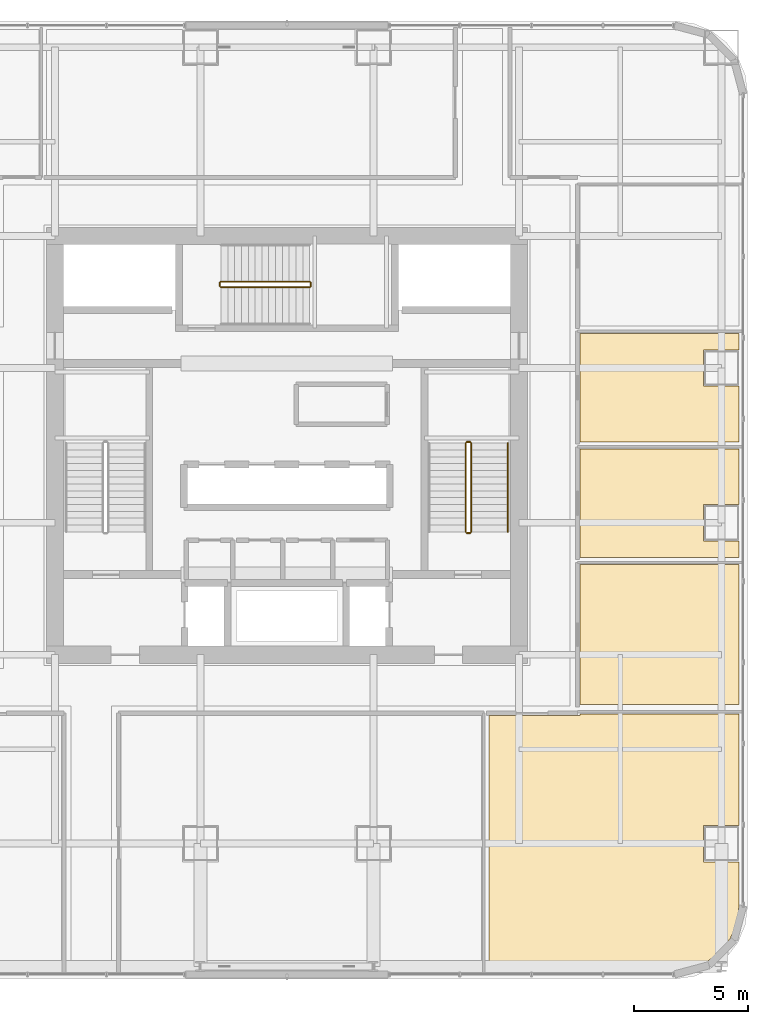
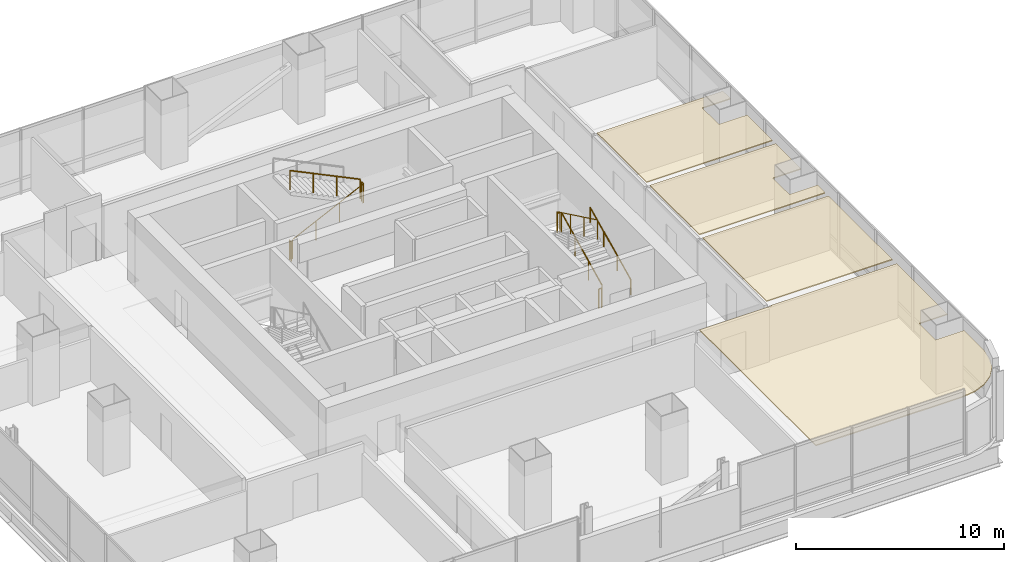
# One storey, part 34 of 37: 9 railings, 4 coverings.
"""IFC4 building model written with IfcOpenShell, lengths in metres."""

from ifc_helpers import new_model, si_unit, direction, frame, origin, origin_2d, place, context, subcontext, project, spatial, polyline, circle, outline, extrude, material, layer, layer_set, type_object, element, save


model = new_model("IFC4")

# Units and contexts
model_context = context("Model", 3, precision=1e-05, world=origin(), true_north=direction((0.0, 1.0)))
body_context = subcontext(model_context, "Body", "Model", "MODEL_VIEW")
ifc_project = project(units=[si_unit("LENGTHUNIT", "METRE"), si_unit("AREAUNIT", "SQUARE_METRE"), si_unit("VOLUMEUNIT", "CUBIC_METRE"), si_unit("PLANEANGLEUNIT", "RADIAN"), si_unit("MASSUNIT", "GRAM", prefix="KILO")], contexts=[model_context])

# Site, building, storey
site_placement = place(None, origin())
site = spatial("IfcSite", under=ifc_project, at=site_placement, CompositionType="ELEMENT")
building_placement = place(site_placement, origin())
building = spatial("IfcBuilding", under=site, at=building_placement, Name="Punatoya Terracotta Tower", CompositionType="ELEMENT")
storey_placement = place(building_placement, frame((0.0, 0.0, 44.39990234375)))
storey = spatial("IfcBuildingStorey", under=building, at=storey_placement, Name="L09", CompositionType="ELEMENT", Elevation=44.39990234375)

# Coverings
ifc_material_1 = material(Name="Acoustic Mineral Fibre Ceiling")
ifc_layer = layer(ifc_material_1, 0.06005859375)
ifc_layer_set = layer_set([ifc_layer], Name="Acoustic Mineral Fibre Ceiling")
covering_type = type_object("IfcCoveringType", Name="COV-CEIL-60", PredefinedType="CEILING", material=ifc_layer_set)
covering_1_placement = place(storey_placement, frame((0.0, 0.0, 3.2001953125)))
element("IfcCovering", 1, at=covering_1_placement, inside=storey, type_object=covering_type, Name="L09 Open-Plan Collaborative Workshop Room Acoustic Ceiling", PredefinedType="CEILING", context=body_context, shape_type="SweptSolid", body=[
    extrude(outline(polyline([(12.8701171875, -11.8701171875), (8.8720703125, -11.8701171875), (8.8720703125, -23.070068359375), (17.025146484375, -23.070068359375), (17.779052734375, -22.970703125), (18.458251953125, -22.689453125), (19.041748046875, -22.24169921875), (19.489501953125, -21.658203125), (19.770751953125, -20.97900390625), (19.8701171875, -20.22509765625), (19.8701171875, -18.300048828125), (18.300048828125, -18.300048828125), (18.300048828125, -16.699951171875), (19.8701171875, -16.699951171875), (19.8701171875, -11.81005859375), (12.8701171875, -11.81005859375), (12.8701171875, -11.8701171875)])), origin(), (0.0, 0.0, 1.0), 0.059814453125),
])
covering_2_placement = place(storey_placement, frame((0.0, 0.0, 3.2001953125)))
element("IfcCovering", 2, at=covering_2_placement, inside=storey, type_object=covering_type, Name="L09 Executive Briefing Room Acoustic Ceiling", PredefinedType="CEILING", context=body_context, shape_type="SweptSolid", body=[
    extrude(outline(polyline([(19.8701171875, -11.389892578125), (19.8701171875, -5.241943359375), (12.8701171875, -5.241943359375), (12.8701171875, -11.389892578125), (19.8701171875, -11.389892578125)])), origin(), (0.0, 0.0, 1.0), 0.059814453125),
])
covering_3_placement = place(storey_placement, frame((0.0, 0.0, 3.2001953125)))
element("IfcCovering", 3, at=covering_3_placement, inside=storey, type_object=covering_type, Name="L09 Open-Plan Delegate Reception Lounge Acoustic Ceiling", PredefinedType="CEILING", context=body_context, shape_type="SweptSolid", body=[
    extrude(outline(polyline([(19.8701171875, -4.922119140625), (19.8701171875, -4.199951171875), (18.300048828125, -4.199951171875), (18.300048828125, -2.60009765625), (19.8701171875, -2.60009765625), (19.8701171875, -0.159912109375), (12.8701171875, -0.159912109375), (12.8701171875, -4.922119140625), (19.8701171875, -4.922119140625)])), origin(), (0.0, 0.0, 1.0), 0.059814453125),
])
covering_4_placement = place(storey_placement, frame((0.0, 0.0, 3.2001953125)))
element("IfcCovering", 4, at=covering_4_placement, inside=storey, type_object=covering_type, Name="L09 Open-Plan Wellness Focus Room Acoustic Ceiling", PredefinedType="CEILING", context=body_context, shape_type="SweptSolid", body=[
    extrude(outline(polyline([(19.8701171875, 0.159912109375), (19.8701171875, 2.60009765625), (18.300048828125, 2.60009765625), (18.300048828125, 4.199951171875), (19.8701171875, 4.199951171875), (19.8701171875, 4.922119140625), (12.8701171875, 4.922119140625), (12.8701171875, 0.159912109375), (19.8701171875, 0.159912109375)])), origin(), (0.0, 0.0, 1.0), 0.059814453125),
])

# Railings
ifc_material_2 = material(Name="Steel S355", Category="steel")
railing_type_1 = type_object("IfcRailingType", Name="RLG-GRD-1150", PredefinedType="GUARDRAIL", material=ifc_material_2)
railing_1_placement = place(storey_placement, frame((8.10009765625, -3.800048828125, 0.144775390625)))
element("IfcRailing", 5, at=railing_1_placement, inside=storey, type_object=railing_type_1, Name="L09 ST-2 stair guard 1", PredefinedType="GUARDRAIL", context=body_context, shape_type="SweptSolid", body=[
    extrude(circle(Radius=0.02392578125, at=origin_2d()), frame((0.0, 0.0, 1.1259765625), z_axis=(0.0, 0.900773802044, 0.434288564841), x_axis=(-1.0, 0.0, 0.0)), (0.0, 0.0, 1.0), 4.329833984375),
    extrude(circle(Radius=0.02099609375, at=origin_2d()), origin(), (0.0, 0.0, 1.0), 1.101806640625),
    extrude(circle(Radius=0.02099609375, at=origin_2d()), frame((0.0, 1.300048828125, 0.626708984375)), (0.0, 0.0, 1.0), 1.101806640625),
    extrude(circle(Radius=0.02099609375, at=origin_2d()), frame((0.0, 2.60009765625, 1.253662109375)), (0.0, 0.0, 1.0), 1.101806640625),
    extrude(circle(Radius=0.02099609375, at=origin_2d()), frame((0.0, 3.900146484375, 1.88037109375)), (0.0, 0.0, 1.0), 1.101806640625),
])
railing_2_placement = place(storey_placement, frame((8.050048828125, 0.14990234375, 2.025146484375)))
element("IfcRailing", 6, at=railing_2_placement, inside=storey, type_object=railing_type_1, Name="L09 ST-2 stair guard 2", PredefinedType="GUARDRAIL", context=body_context, shape_type="SweptSolid", body=[
    extrude(circle(Radius=0.02392578125, at=origin_2d()), frame((0.0, 0.0, 1.1259765625), z_axis=(-1.0, 0.0, 0.0), x_axis=(0.0, -1.0, 0.0)), (0.0, 0.0, 1.0), 0.150146484375),
    extrude(circle(Radius=0.02099609375, at=origin_2d()), origin(), (0.0, 0.0, 1.0), 1.101806640625),
    extrude(circle(Radius=0.02099609375, at=origin_2d()), frame((-0.150146484375, 0.0, 0.0)), (0.0, 0.0, 1.0), 1.101806640625),
])
railing_3_placement = place(storey_placement, frame((7.85009765625, 0.10009765625, 2.169677734375)))
element("IfcRailing", 7, at=railing_3_placement, inside=storey, type_object=railing_type_1, Name="L09 ST-2 stair guard 3", PredefinedType="GUARDRAIL", context=body_context, shape_type="SweptSolid", body=[
    extrude(circle(Radius=0.02392578125, at=origin_2d()), frame((0.0, 0.0, 1.1259765625), z_axis=(0.0, -0.900773802044, 0.434288564841), x_axis=(1.0, 0.0, 0.0)), (0.0, 0.0, 1.0), 4.329833984375),
    extrude(circle(Radius=0.02099609375, at=origin_2d()), origin(), (0.0, 0.0, 1.0), 1.101806640625),
    extrude(circle(Radius=0.02099609375, at=origin_2d()), frame((0.0, -1.300048828125, 0.626708984375)), (0.0, 0.0, 1.0), 1.101806640625),
    extrude(circle(Radius=0.02099609375, at=origin_2d()), frame((0.0, -2.60009765625, 1.253662109375)), (0.0, 0.0, 1.0), 1.101806640625),
    extrude(circle(Radius=0.02099609375, at=origin_2d()), frame((0.0, -3.900146484375, 1.88037109375)), (0.0, 0.0, 1.0), 1.101806640625),
])
railing_4_placement = place(storey_placement, frame((8.050048828125, -3.85009765625, 0.0)))
element("IfcRailing", 8, at=railing_4_placement, inside=storey, type_object=railing_type_1, Name="L09 ST-2 stair guard 4", PredefinedType="GUARDRAIL", context=body_context, shape_type="SweptSolid", body=[
    extrude(circle(Radius=0.02392578125, at=origin_2d()), frame((0.0, 0.0, 1.1259765625), z_axis=(-1.0, 0.0, 0.0), x_axis=(0.0, -1.0, 0.0)), (0.0, 0.0, 1.0), 0.150146484375),
    extrude(circle(Radius=0.02099609375, at=origin_2d()), origin(), (0.0, 0.0, 1.0), 1.101806640625),
    extrude(circle(Radius=0.02099609375, at=origin_2d()), frame((-0.150146484375, 0.0, 0.0)), (0.0, 0.0, 1.0), 1.101806640625),
])
railing_5_placement = place(storey_placement, frame((-2.89990234375, 6.949951171875, 0.144775390625)))
element("IfcRailing", 9, at=railing_5_placement, inside=storey, type_object=railing_type_1, Name="L09 ST-3 stair guard 1", PredefinedType="GUARDRAIL", context=body_context, shape_type="SweptSolid", body=[
    extrude(circle(Radius=0.02392578125, at=origin_2d()), frame((0.0, 0.0, 1.1259765625), z_axis=(0.900763166376, 0.0, 0.434310623978), x_axis=(0.0, 1.0, 0.0)), (0.0, 0.0, 1.0), 4.32958984375),
    extrude(circle(Radius=0.02099609375, at=origin_2d()), origin(), (0.0, 0.0, 1.0), 1.101806640625),
    extrude(circle(Radius=0.02099609375, at=origin_2d()), frame((1.300048828125, 0.0, 0.626708984375)), (0.0, 0.0, 1.0), 1.101806640625),
    extrude(circle(Radius=0.02099609375, at=origin_2d()), frame((2.599853515625, 0.0, 1.253662109375)), (0.0, 0.0, 1.0), 1.101806640625),
    extrude(circle(Radius=0.02099609375, at=origin_2d()), frame((3.89990234375, 0.0, 1.88037109375)), (0.0, 0.0, 1.0), 1.101806640625),
])
railing_6_placement = place(storey_placement, frame((1.050048828125, 7.0, 2.025146484375)))
element("IfcRailing", 10, at=railing_6_placement, inside=storey, type_object=railing_type_1, Name="L09 ST-3 stair guard 2", PredefinedType="GUARDRAIL", context=body_context, shape_type="SweptSolid", body=[
    extrude(circle(Radius=0.02392578125, at=origin_2d()), frame((0.0, 0.0, 1.1259765625), z_axis=(0.0, 1.0, 0.0), x_axis=(-1.0, 0.0, 0.0)), (0.0, 0.0, 1.0), 0.14990234375),
    extrude(circle(Radius=0.02099609375, at=origin_2d()), origin(), (0.0, 0.0, 1.0), 1.101806640625),
    extrude(circle(Radius=0.02099609375, at=origin_2d()), frame((0.0, 0.14990234375, 0.0)), (0.0, 0.0, 1.0), 1.101806640625),
])
railing_7_placement = place(storey_placement, frame((1.0, 7.199951171875, 2.169677734375)))
element("IfcRailing", 11, at=railing_7_placement, inside=storey, type_object=railing_type_1, Name="L09 ST-3 stair guard 3", PredefinedType="GUARDRAIL", context=body_context, shape_type="SweptSolid", body=[
    extrude(circle(Radius=0.02392578125, at=origin_2d()), frame((0.0, 0.0, 1.1259765625), z_axis=(-0.900763166376, 0.0, 0.434310623978), x_axis=(0.0, -1.0, 0.0)), (0.0, 0.0, 1.0), 4.32958984375),
    extrude(circle(Radius=0.02099609375, at=origin_2d()), origin(), (0.0, 0.0, 1.0), 1.101806640625),
    extrude(circle(Radius=0.02099609375, at=origin_2d()), frame((-1.300048828125, 0.0, 0.626708984375)), (0.0, 0.0, 1.0), 1.101806640625),
    extrude(circle(Radius=0.02099609375, at=origin_2d()), frame((-2.599853515625, 0.0, 1.253662109375)), (0.0, 0.0, 1.0), 1.101806640625),
    extrude(circle(Radius=0.02099609375, at=origin_2d()), frame((-3.89990234375, 0.0, 1.88037109375)), (0.0, 0.0, 1.0), 1.101806640625),
])
railing_8_placement = place(storey_placement, frame((-2.949951171875, 7.0, 0.0)))
element("IfcRailing", 12, at=railing_8_placement, inside=storey, type_object=railing_type_1, Name="L09 ST-3 stair guard 4", PredefinedType="GUARDRAIL", context=body_context, shape_type="SweptSolid", body=[
    extrude(circle(Radius=0.02392578125, at=origin_2d()), frame((0.0, 0.0, 1.1259765625), z_axis=(0.0, 1.0, 0.0), x_axis=(-1.0, 0.0, 0.0)), (0.0, 0.0, 1.0), 0.14990234375),
    extrude(circle(Radius=0.02099609375, at=origin_2d()), origin(), (0.0, 0.0, 1.0), 1.101806640625),
    extrude(circle(Radius=0.02099609375, at=origin_2d()), frame((0.0, 0.14990234375, 0.0)), (0.0, 0.0, 1.0), 1.101806640625),
])
railing_type_2 = type_object("IfcRailingType", Name="RLG-HND-900", PredefinedType="HANDRAIL", material=ifc_material_2)
railing_9_placement = place(storey_placement, frame((9.699951171875, -3.800048828125, 0.144775390625)))
element("IfcRailing", 13, at=railing_9_placement, inside=storey, type_object=railing_type_2, Name="L09 ST-2 stair handrail 1", PredefinedType="HANDRAIL", context=body_context, shape_type="SweptSolid", body=[
    extrude(circle(Radius=0.02392578125, at=origin_2d()), frame((0.0, 0.0, 0.8759765625), z_axis=(0.0, 0.900773802044, 0.434288564841), x_axis=(-1.0, 0.0, 0.0)), (0.0, 0.0, 1.0), 4.329833984375),
    extrude(circle(Radius=0.02099609375, at=origin_2d()), origin(), (0.0, 0.0, 1.0), 0.851806640625),
    extrude(circle(Radius=0.02099609375, at=origin_2d()), frame((0.0, 1.300048828125, 0.626708984375)), (0.0, 0.0, 1.0), 0.851806640625),
    extrude(circle(Radius=0.02099609375, at=origin_2d()), frame((0.0, 2.60009765625, 1.253662109375)), (0.0, 0.0, 1.0), 0.851806640625),
    extrude(circle(Radius=0.02099609375, at=origin_2d()), frame((0.0, 3.900146484375, 1.88037109375)), (0.0, 0.0, 1.0), 0.851806640625),
])

save(model, "model.ifc")
